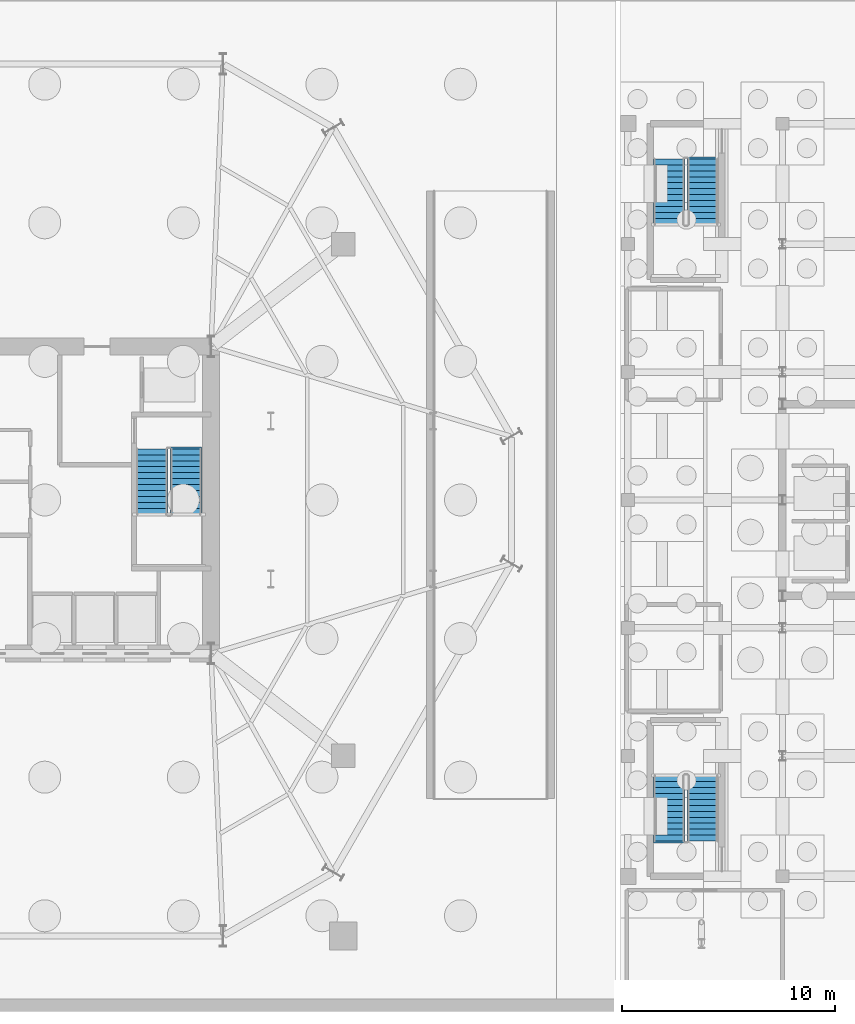
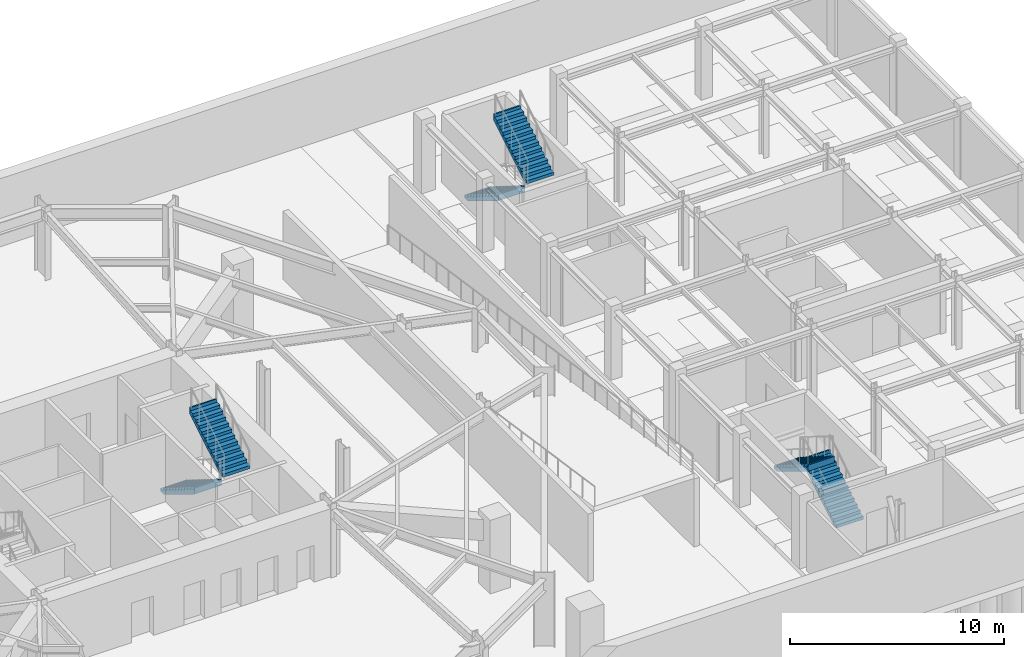
# One storey, part 15 of 18: 6 stair flights, 3 elements without a shape of their own.
"""IFC4 building model written with IfcOpenShell, lengths in metres."""

from ifc_helpers import new_model, si_unit, direction, frame, origin, place, context, subcontext, project, spatial, polyline, outline, extrude, material, type_object, element, aggregate, save


model = new_model("IFC4")

# Units and contexts
model_context = context("Model", 3, precision=1e-05, world=origin(), true_north=direction((0.0, 1.0)))
body_context = subcontext(model_context, "Body", "Model", "MODEL_VIEW")
ifc_project = project(units=[si_unit("LENGTHUNIT", "METRE"), si_unit("AREAUNIT", "SQUARE_METRE"), si_unit("VOLUMEUNIT", "CUBIC_METRE"), si_unit("PLANEANGLEUNIT", "RADIAN"), si_unit("MASSUNIT", "GRAM", prefix="KILO")], contexts=[model_context])

# Site, building, storey
site_placement = place(None, origin())
site = spatial("IfcSite", under=ifc_project, at=site_placement, CompositionType="ELEMENT")
building_placement = place(site_placement, origin())
building = spatial("IfcBuilding", under=site, at=building_placement, Name="Kranzbogen Civic Tower", CompositionType="ELEMENT")
storey_placement = place(building_placement, frame((0.0, 0.0, -8.39990234375)))
storey = spatial("IfcBuildingStorey", under=building, at=storey_placement, Name="B02", CompositionType="ELEMENT", Elevation=-8.39990234375)

# Stair, stair flights
ifc_material = material(Name="Precast concrete C40/50", Category="concrete")
stair_type_1 = type_object("IfcStairType", Name="Tower Core Secondary Dogleg Stair 1450", PredefinedType="HALF_TURN_STAIR", material=ifc_material)
stair_1_placement = place(storey_placement, origin())
stair_1 = element("IfcStair", 1, at=stair_1_placement, inside=storey, type_object=stair_type_1, Name="B02 Tower Core Pressurized Stair 2", PredefinedType="HALF_TURN_STAIR")
stair_flight_type = type_object("IfcStairFlightType", Name="Precast Concrete Stair Flight R175", PredefinedType="STRAIGHT", material=ifc_material)
stair_flight_1_placement = place(storey_placement, frame((30.02490234375, 27.39990234375, 0.0), z_axis=(0.0, 0.0, 1.0), x_axis=(0.0, -1.0, 0.0)))
stair_flight_1 = element("IfcStairFlight", 2, at=stair_flight_1_placement, type_object=stair_flight_type, Name="ST-T2 flight 1", NumberOfRisers=12, NumberOfTreads=11, PredefinedType="STRAIGHT", RiserHeight=0.175, TreadLength=0.28, context=body_context, shape_type="SweptSolid", body=[
    extrude(outline(polyline([(0.0, 0.0), (0.0, 0.175048828125), (0.280029296875, 0.175048828125), (0.280029296875, 0.35009765625), (0.56005859375, 0.35009765625), (0.56005859375, 0.52490234375), (0.840087890625, 0.52490234375), (0.840087890625, 0.699951171875), (1.1201171875, 0.699951171875), (1.1201171875, 0.875), (1.39990234375, 0.875), (1.39990234375, 1.050048828125), (1.679931640625, 1.050048828125), (1.679931640625, 1.22509765625), (1.9599609375, 1.22509765625), (1.9599609375, 1.39990234375), (2.239990234375, 1.39990234375), (2.239990234375, 1.574951171875), (2.52001953125, 1.574951171875), (2.52001953125, 1.75), (2.800048828125, 1.75), (2.800048828125, 1.925048828125), (3.080078125, 1.925048828125), (3.080078125, 2.10009765625), (3.16015625, 2.10009765625), (3.16015625, 1.748291015625), (0.28271484375, 0.0), (0.0, 0.0)])), frame((0.0, 0.72509765625, 0.0), z_axis=(0.0, -1.0, 0.0), x_axis=(1.0, 0.0, 0.0)), (0.0, 0.0, 1.0), 1.449951171875),
])
stair_flight_2_placement = place(storey_placement, frame((31.625, 24.320068359375, 2.099853515625), z_axis=(0.0, 0.0, 1.0), x_axis=(0.0, 1.0, 0.0)))
stair_flight_2 = element("IfcStairFlight", 3, at=stair_flight_2_placement, type_object=stair_flight_type, Name="ST-T2 flight 2", NumberOfRisers=12, NumberOfTreads=11, PredefinedType="STRAIGHT", RiserHeight=0.175, TreadLength=0.28, context=body_context, shape_type="SweptSolid", body=[
    extrude(outline(polyline([(0.0, 0.0), (0.0, 0.175048828125), (0.280029296875, 0.175048828125), (0.280029296875, 0.35009765625), (0.56005859375, 0.35009765625), (0.56005859375, 0.52490234375), (0.840087890625, 0.52490234375), (0.840087890625, 0.699951171875), (1.1201171875, 0.699951171875), (1.1201171875, 0.875), (1.39990234375, 0.875), (1.39990234375, 1.050048828125), (1.679931640625, 1.050048828125), (1.679931640625, 1.22509765625), (1.9599609375, 1.22509765625), (1.9599609375, 1.39990234375), (2.239990234375, 1.39990234375), (2.239990234375, 1.574951171875), (2.52001953125, 1.574951171875), (2.52001953125, 1.75), (2.800048828125, 1.75), (2.800048828125, 1.925048828125), (3.080078125, 1.925048828125), (3.080078125, 2.10009765625), (3.16015625, 2.10009765625), (3.16015625, 1.748291015625), (0.28271484375, 0.0), (0.0, 0.0)])), frame((0.0, 0.72509765625, 0.0), z_axis=(0.0, -1.0, 0.0), x_axis=(1.0, 0.0, 0.0)), (0.0, 0.0, 1.0), 1.449951171875),
])
aggregate(stair_1, [stair_flight_1, stair_flight_2])

stair_type_2 = type_object("IfcStairType", Name="Health Centre Escape Dogleg Stair 1450", PredefinedType="HALF_TURN_STAIR", material=ifc_material)
stair_2_placement = place(storey_placement, origin())
stair_2 = element("IfcStair", 4, at=stair_2_placement, inside=storey, type_object=stair_type_2, Name="B02 Health Centre Escape Stair 1", PredefinedType="HALF_TURN_STAIR")
stair_flight_3_placement = place(storey_placement, frame((55.875, 9.0, 0.0), z_axis=(0.0, 0.0, 1.0), x_axis=(0.0, 1.0, 0.0)))
stair_flight_3 = element("IfcStairFlight", 5, at=stair_flight_3_placement, type_object=stair_flight_type, Name="ST-H1 flight 1", NumberOfRisers=12, NumberOfTreads=11, PredefinedType="STRAIGHT", RiserHeight=0.175, TreadLength=0.28, context=body_context, shape_type="SweptSolid", body=[
    extrude(outline(polyline([(0.0, 0.0), (0.0, 0.175048828125), (0.280029296875, 0.175048828125), (0.280029296875, 0.35009765625), (0.56005859375, 0.35009765625), (0.56005859375, 0.52490234375), (0.840087890625, 0.52490234375), (0.840087890625, 0.699951171875), (1.1201171875, 0.699951171875), (1.1201171875, 0.875), (1.39990234375, 0.875), (1.39990234375, 1.050048828125), (1.679931640625, 1.050048828125), (1.679931640625, 1.22509765625), (1.9599609375, 1.22509765625), (1.9599609375, 1.39990234375), (2.239990234375, 1.39990234375), (2.239990234375, 1.574951171875), (2.52001953125, 1.574951171875), (2.52001953125, 1.75), (2.800048828125, 1.75), (2.800048828125, 1.925048828125), (3.080078125, 1.925048828125), (3.080078125, 2.10009765625), (3.16015625, 2.10009765625), (3.16015625, 1.748291015625), (0.28271484375, 0.0), (0.0, 0.0)])), frame((0.0, 0.72509765625, 0.0), z_axis=(0.0, -1.0, 0.0), x_axis=(1.0, 0.0, 0.0)), (0.0, 0.0, 1.0), 1.449951171875),
])
stair_flight_4_placement = place(storey_placement, frame((54.27490234375, 12.080078125, 2.099853515625), z_axis=(0.0, 0.0, 1.0), x_axis=(0.0, -1.0, 0.0)))
stair_flight_4 = element("IfcStairFlight", 6, at=stair_flight_4_placement, type_object=stair_flight_type, Name="ST-H1 flight 2", NumberOfRisers=12, NumberOfTreads=11, PredefinedType="STRAIGHT", RiserHeight=0.175, TreadLength=0.28, context=body_context, shape_type="SweptSolid", body=[
    extrude(outline(polyline([(0.0, 0.0), (0.0, 0.175048828125), (0.280029296875, 0.175048828125), (0.280029296875, 0.35009765625), (0.56005859375, 0.35009765625), (0.56005859375, 0.52490234375), (0.840087890625, 0.52490234375), (0.840087890625, 0.699951171875), (1.1201171875, 0.699951171875), (1.1201171875, 0.875), (1.39990234375, 0.875), (1.39990234375, 1.050048828125), (1.679931640625, 1.050048828125), (1.679931640625, 1.22509765625), (1.9599609375, 1.22509765625), (1.9599609375, 1.39990234375), (2.239990234375, 1.39990234375), (2.239990234375, 1.574951171875), (2.52001953125, 1.574951171875), (2.52001953125, 1.75), (2.800048828125, 1.75), (2.800048828125, 1.925048828125), (3.080078125, 1.925048828125), (3.080078125, 2.10009765625), (3.16015625, 2.10009765625), (3.16015625, 1.748291015625), (0.28271484375, 0.0), (0.0, 0.0)])), frame((0.0, 0.72509765625, 0.0), z_axis=(0.0, -1.0, 0.0), x_axis=(1.0, 0.0, 0.0)), (0.0, 0.0, 1.0), 1.449951171875),
])
aggregate(stair_2, [stair_flight_3, stair_flight_4])

stair_3_placement = place(storey_placement, origin())
stair_3 = element("IfcStair", 7, at=stair_3_placement, inside=storey, type_object=stair_type_2, Name="B02 Health Centre Escape Stair 2", PredefinedType="HALF_TURN_STAIR")
stair_flight_5_placement = place(storey_placement, frame((54.27490234375, 41.0, 0.0), z_axis=(0.0, 0.0, 1.0), x_axis=(0.0, -1.0, 0.0)))
stair_flight_5 = element("IfcStairFlight", 8, at=stair_flight_5_placement, type_object=stair_flight_type, Name="ST-H2 flight 1", NumberOfRisers=12, NumberOfTreads=11, PredefinedType="STRAIGHT", RiserHeight=0.175, TreadLength=0.28, context=body_context, shape_type="SweptSolid", body=[
    extrude(outline(polyline([(0.0, 0.0), (0.0, 0.175048828125), (0.280029296875, 0.175048828125), (0.280029296875, 0.35009765625), (0.56005859375, 0.35009765625), (0.56005859375, 0.52490234375), (0.840087890625, 0.52490234375), (0.840087890625, 0.699951171875), (1.1201171875, 0.699951171875), (1.1201171875, 0.875), (1.39990234375, 0.875), (1.39990234375, 1.050048828125), (1.679931640625, 1.050048828125), (1.679931640625, 1.22509765625), (1.9599609375, 1.22509765625), (1.9599609375, 1.39990234375), (2.239990234375, 1.39990234375), (2.239990234375, 1.574951171875), (2.52001953125, 1.574951171875), (2.52001953125, 1.75), (2.800048828125, 1.75), (2.800048828125, 1.925048828125), (3.080078125, 1.925048828125), (3.080078125, 2.10009765625), (3.16015625, 2.10009765625), (3.16015625, 1.748291015625), (0.28271484375, 0.0), (0.0, 0.0)])), frame((0.0, 0.72509765625, 0.0), z_axis=(0.0, -1.0, 0.0), x_axis=(1.0, 0.0, 0.0)), (0.0, 0.0, 1.0), 1.449951171875),
])
stair_flight_6_placement = place(storey_placement, frame((55.875, 37.919921875, 2.099853515625), z_axis=(0.0, 0.0, 1.0), x_axis=(0.0, 1.0, 0.0)))
stair_flight_6 = element("IfcStairFlight", 9, at=stair_flight_6_placement, type_object=stair_flight_type, Name="ST-H2 flight 2", NumberOfRisers=12, NumberOfTreads=11, PredefinedType="STRAIGHT", RiserHeight=0.175, TreadLength=0.28, context=body_context, shape_type="SweptSolid", body=[
    extrude(outline(polyline([(0.0, 0.0), (0.0, 0.175048828125), (0.280029296875, 0.175048828125), (0.280029296875, 0.35009765625), (0.56005859375, 0.35009765625), (0.56005859375, 0.52490234375), (0.840087890625, 0.52490234375), (0.840087890625, 0.699951171875), (1.1201171875, 0.699951171875), (1.1201171875, 0.875), (1.39990234375, 0.875), (1.39990234375, 1.050048828125), (1.679931640625, 1.050048828125), (1.679931640625, 1.22509765625), (1.9599609375, 1.22509765625), (1.9599609375, 1.39990234375), (2.239990234375, 1.39990234375), (2.239990234375, 1.574951171875), (2.52001953125, 1.574951171875), (2.52001953125, 1.75), (2.800048828125, 1.75), (2.800048828125, 1.925048828125), (3.080078125, 1.925048828125), (3.080078125, 2.10009765625), (3.16015625, 2.10009765625), (3.16015625, 1.748291015625), (0.28271484375, 0.0), (0.0, 0.0)])), frame((0.0, 0.72509765625, 0.0), z_axis=(0.0, -1.0, 0.0), x_axis=(1.0, 0.0, 0.0)), (0.0, 0.0, 1.0), 1.449951171875),
])
aggregate(stair_3, [stair_flight_5, stair_flight_6])

save(model, "model.ifc")
